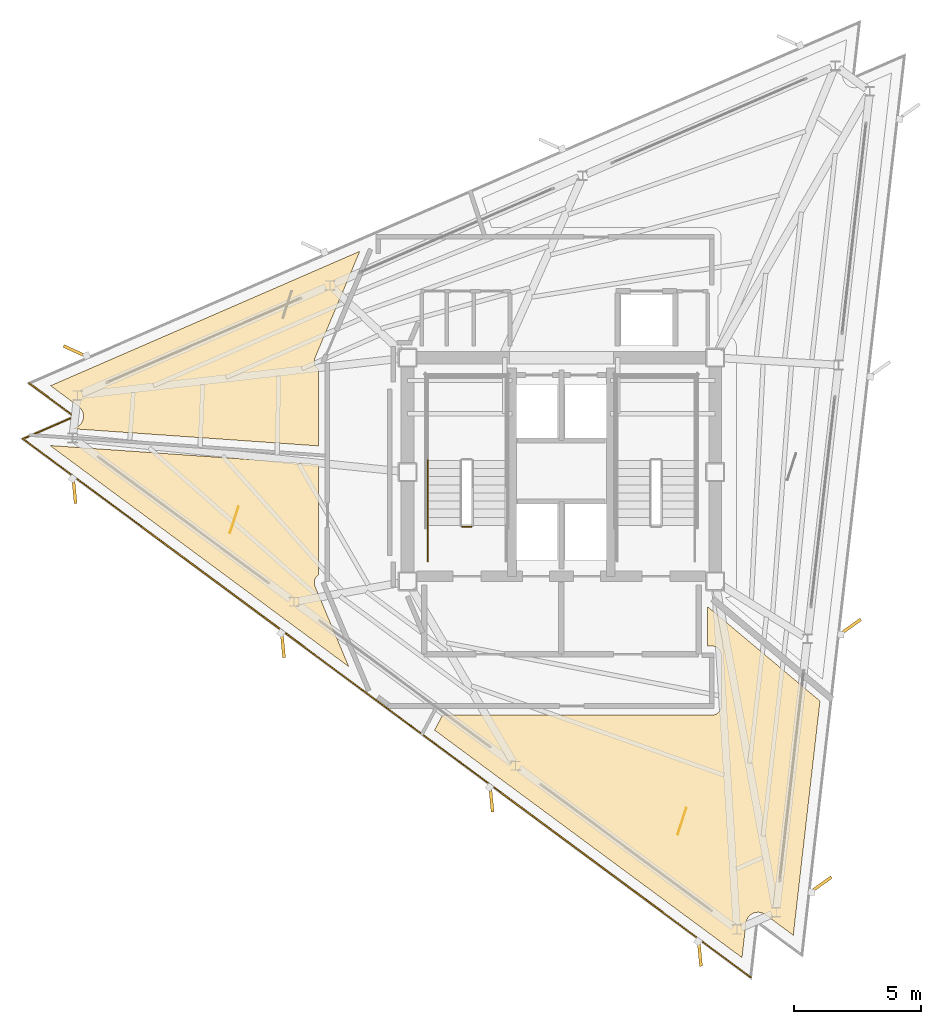
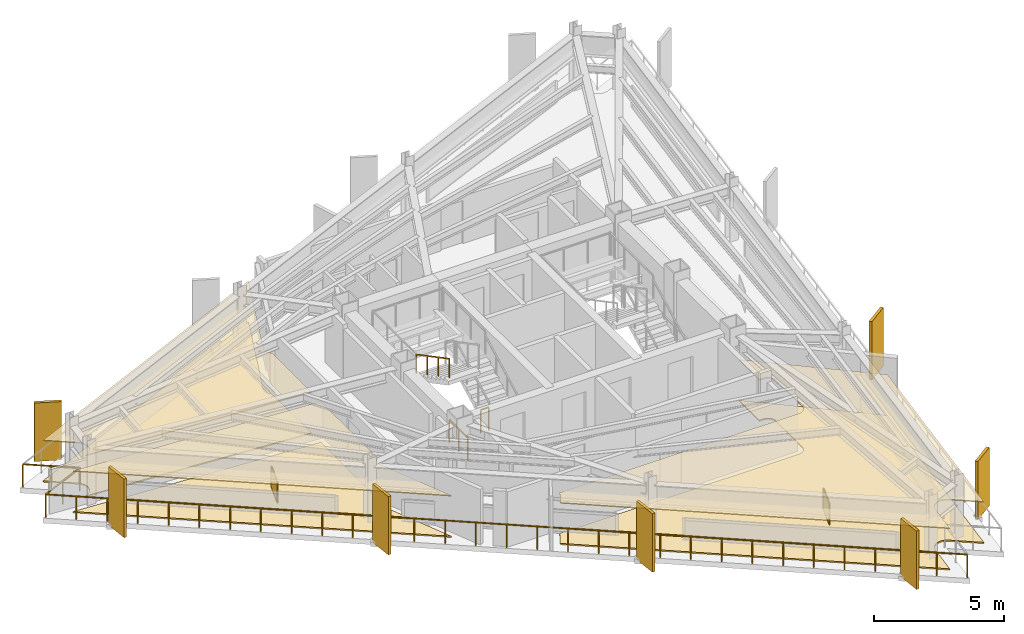
# One storey, part 7 of 9: 8 coverings, 7 shading devices, 4 railings.
"""IFC4 building model written with IfcOpenShell, lengths in metres."""

from ifc_helpers import new_model, si_unit, direction, frame, origin, origin_2d, place, context, subcontext, project, spatial, polyline, rectangle, outline, extrude, material, layer, layer_set, type_object, element, save


model = new_model("IFC4")

# Units and contexts
model_context = context("Model", 3, precision=1e-05, world=origin(), true_north=direction((0.0, 1.0)))
body_context = subcontext(model_context, "Body", "Model", "MODEL_VIEW")
ifc_project = project(units=[si_unit("LENGTHUNIT", "METRE"), si_unit("AREAUNIT", "SQUARE_METRE"), si_unit("VOLUMEUNIT", "CUBIC_METRE"), si_unit("PLANEANGLEUNIT", "RADIAN"), si_unit("MASSUNIT", "GRAM", prefix="KILO")], contexts=[model_context])

# Site, building, storey
site_placement = place(None, origin())
site = spatial("IfcSite", under=ifc_project, at=site_placement, CompositionType="ELEMENT")
building_placement = place(site_placement, origin())
building = spatial("IfcBuilding", under=site, at=building_placement, Name="Rocaltana Carrier Exchange", CompositionType="ELEMENT")
storey_placement = place(building_placement, frame((0.0, 0.0, 236.159912109375)))
storey = spatial("IfcBuildingStorey", under=building, at=storey_placement, Name="L75", CompositionType="ELEMENT", Elevation=236.159912109375)

# Coverings
ifc_material_1 = material(Name="Calcium Sulphate & Aluminium Pedestal", Category="aluminium")
ifc_layer_1 = layer(ifc_material_1, 0.06005859375)
ifc_layer_set_1 = layer_set([ifc_layer_1], Name="Calcium Sulphate & Aluminium Pedestal")
covering_type_1 = type_object("IfcCoveringType", Name="Anti-Static Raised Exchange Access Floor 60", PredefinedType="FLOORING", material=ifc_layer_set_1)
covering_1_placement = place(storey_placement, origin())
element("IfcCovering", 1, at=covering_1_placement, inside=storey, type_object=covering_type_1, Name="L75 Cloud Architecture Office Finish Floor", PredefinedType="FLOORING", context=body_context, shape_type="SweptSolid", body=[
    extrude(outline(polyline([(-20.11572265625, 1.0458984375), (-9.56005859375, 0.3076171875), (-9.56005859375, -4.052001953125), (-9.57177734375, -4.06005859375), (-9.578125, -4.064697265625), (-9.59912109375, -4.082275390625), (-9.60498046875, -4.087646484375), (-9.624267578125, -4.107177734375), (-9.629638671875, -4.113037109375), (-9.64697265625, -4.134521484375), (-9.651611328125, -4.140625), (-9.666748046875, -4.16357421875), (-9.670654296875, -4.17041015625), (-9.68359375, -4.194580078125), (-9.686767578125, -4.201904296875), (-9.697265625, -4.227294921875), (-9.69970703125, -4.234619140625), (-9.70751953125, -4.260986328125), (-9.70947265625, -4.2685546875), (-9.714599609375, -4.295654296875), (-9.7158203125, -4.30322265625), (-9.718505859375, -4.330810546875), (-9.71875, -4.33837890625), (-9.718505859375, -4.365966796875), (-9.71826171875, -4.373779296875), (-9.71533203125, -4.401123046875), (-9.714111328125, -4.408935546875), (-9.70849609375, -4.435791015625), (-9.706787109375, -4.443603515625), (-9.698486328125, -4.4697265625), (-9.69580078125, -4.47705078125), (-9.69091796875, -4.489990234375), (-8.361328125, -7.652099609375), (-20.11572265625, 1.0458984375)])), origin(), (0.0, 0.0, 1.0), 0.06005859375),
])
covering_2_placement = place(storey_placement, origin())
element("IfcCovering", 2, at=covering_2_placement, inside=storey, type_object=covering_type_1, Name="L75 Network Operations Office Finish Floor", PredefinedType="FLOORING", context=body_context, shape_type="SweptSolid", body=[
    extrude(outline(polyline([(5.739990234375, -6.840087890625), (5.739990234375, -5.286376953125), (10.1708984375, -9.00439453125), (9.12109375, -18.21826171875), (8.020751953125, -17.404052734375), (8.009521484375, -17.39599609375), (7.992919921875, -17.385009765625), (7.96875, -17.370849609375), (7.951171875, -17.361572265625), (7.92578125, -17.349609375), (7.907470703125, -17.342041015625), (7.881103515625, -17.332763671875), (7.862060546875, -17.3271484375), (7.8349609375, -17.320556640625), (7.815185546875, -17.31689453125), (7.78759765625, -17.31298828125), (7.767822265625, -17.311279296875), (7.739990234375, -17.310302734375), (7.719970703125, -17.310302734375), (7.692138671875, -17.31201171875), (7.67236328125, -17.314208984375), (7.644775390625, -17.31884765625), (7.625244140625, -17.322998046875), (7.59814453125, -17.330078125), (7.579345703125, -17.336181640625), (7.552978515625, -17.34619140625), (7.534912109375, -17.35400390625), (7.509765625, -17.366455078125), (7.492431640625, -17.376220703125), (7.46875, -17.39111328125), (7.452392578125, -17.40234375), (7.430419921875, -17.41943359375), (7.415283203125, -17.4326171875), (7.39501953125, -17.45166015625), (7.381103515625, -17.466064453125), (7.363037109375, -17.4873046875), (7.3505859375, -17.5029296875), (7.334716796875, -17.52587890625), (7.32421875, -17.542724609375), (7.310302734375, -17.56689453125), (7.301513671875, -17.5849609375), (7.290283203125, -17.6103515625), (7.283203125, -17.629150390625), (7.274658203125, -17.655517578125), (7.26953125, -17.6748046875), (7.263671875, -17.7021484375), (7.26025390625, -17.7216796875), (7.25830078125, -17.735595703125), (7.103515625, -19.095458984375), (-4.988037109375, -10.148193359375), (-4.67529296875, -9.56005859375), (5.919921875, -9.56005859375), (5.93359375, -9.559814453125), (5.941650390625, -9.559326171875), (5.968994140625, -9.556640625), (5.976806640625, -9.555419921875), (6.003662109375, -9.550048828125), (6.01123046875, -9.548095703125), (6.03759765625, -9.540283203125), (6.044921875, -9.53759765625), (6.0703125, -9.527099609375), (6.077392578125, -9.523681640625), (6.101806640625, -9.5107421875), (6.1083984375, -9.506591796875), (6.131103515625, -9.491455078125), (6.137451171875, -9.48681640625), (6.15869140625, -9.46923828125), (6.16455078125, -9.464111328125), (6.18408203125, -9.444580078125), (6.189208984375, -9.438720703125), (6.206787109375, -9.41748046875), (6.21142578125, -9.4111328125), (6.226806640625, -9.388427734375), (6.230712890625, -9.381591796875), (6.24365234375, -9.357421875), (6.2470703125, -9.350341796875), (6.257568359375, -9.324951171875), (6.26025390625, -9.317626953125), (6.268310546875, -9.291259765625), (6.27001953125, -9.28369140625), (6.275390625, -9.256591796875), (6.276611328125, -9.248779296875), (6.279296875, -9.2216796875), (6.27978515625, -9.213623046875), (6.280029296875, -9.199951171875), (6.280029296875, -7.199951171875), (6.27978515625, -7.186279296875), (6.279296875, -7.178466796875), (6.276611328125, -7.151123046875), (6.275390625, -7.143310546875), (6.27001953125, -7.116455078125), (6.268310546875, -7.108642578125), (6.26025390625, -7.08251953125), (6.257568359375, -7.0751953125), (6.2470703125, -7.0498046875), (6.24365234375, -7.04248046875), (6.230712890625, -7.018310546875), (6.226806640625, -7.01171875), (6.21142578125, -6.98876953125), (6.206787109375, -6.982421875), (6.189208984375, -6.961181640625), (6.18408203125, -6.955322265625), (6.16455078125, -6.93603515625), (6.15869140625, -6.9306640625), (6.137451171875, -6.913330078125), (6.131103515625, -6.90869140625), (6.1083984375, -6.893310546875), (6.101806640625, -6.889404296875), (6.077392578125, -6.876220703125), (6.0703125, -6.873046875), (6.044921875, -6.862548828125), (6.03759765625, -6.85986328125), (6.01123046875, -6.851806640625), (6.003662109375, -6.849853515625), (5.976806640625, -6.844482421875), (5.968994140625, -6.843505859375), (5.941650390625, -6.8408203125), (5.93359375, -6.84033203125), (5.919921875, -6.840087890625), (5.739990234375, -6.840087890625)])), origin(), (0.0, 0.0, 1.0), 0.06005859375),
])
covering_3_placement = place(storey_placement, origin())
element("IfcCovering", 3, at=covering_3_placement, inside=storey, type_object=covering_type_1, Name="L75 Optical Switching Laboratory Finish Floor", PredefinedType="FLOORING", context=body_context, shape_type="SweptSolid", body=[
    extrude(outline(polyline([(-19.0830078125, 1.755859375), (-19.0703125, 1.76171875), (-19.052490234375, 1.7705078125), (-19.028076171875, 1.7841796875), (-19.010986328125, 1.794921875), (-18.98828125, 1.810791015625), (-18.972412109375, 1.822998046875), (-18.951416015625, 1.841064453125), (-18.936767578125, 1.85498046875), (-18.91748046875, 1.875), (-18.904541015625, 1.89013671875), (-18.887451171875, 1.912109375), (-18.8759765625, 1.928466796875), (-18.861083984375, 1.9521484375), (-18.851318359375, 1.969482421875), (-18.8388671875, 1.994384765625), (-18.830810546875, 2.0126953125), (-18.82080078125, 2.038818359375), (-18.814697265625, 2.057861328125), (-18.8076171875, 2.084716796875), (-18.80322265625, 2.104248046875), (-18.798828125, 2.1318359375), (-18.79638671875, 2.151611328125), (-18.794677734375, 2.179443359375), (-18.79443359375, 2.199462890625), (-18.79541015625, 2.227294921875), (-18.797119140625, 2.2470703125), (-18.801025390625, 2.27490234375), (-18.8046875, 2.29443359375), (-18.811279296875, 2.321533203125), (-18.81689453125, 2.3408203125), (-18.825927734375, 2.366943359375), (-18.83349609375, 2.385498046875), (-18.84521484375, 2.410888671875), (-18.8544921875, 2.428466796875), (-18.86865234375, 2.452392578125), (-18.879638671875, 2.468994140625), (-18.896240234375, 2.49169921875), (-18.908935546875, 2.507080078125), (-18.927490234375, 2.52783203125), (-18.941650390625, 2.5419921875), (-18.96240234375, 2.560546875), (-18.977783203125, 2.5732421875), (-18.98876953125, 2.581787109375), (-20.089111328125, 3.39599609375), (-7.927490234375, 8.683837890625), (-9.69091796875, 4.489990234375), (-9.69580078125, 4.47705078125), (-9.698486328125, 4.4697265625), (-9.706787109375, 4.443603515625), (-9.70849609375, 4.435791015625), (-9.714111328125, 4.408935546875), (-9.71533203125, 4.401123046875), (-9.71826171875, 4.373779296875), (-9.718505859375, 4.365966796875), (-9.71875, 4.33837890625), (-9.718505859375, 4.330810546875), (-9.7158203125, 4.30322265625), (-9.714599609375, 4.295654296875), (-9.70947265625, 4.2685546875), (-9.70751953125, 4.260986328125), (-9.69970703125, 4.234619140625), (-9.697265625, 4.227294921875), (-9.686767578125, 4.201904296875), (-9.68359375, 4.194580078125), (-9.670654296875, 4.17041015625), (-9.666748046875, 4.16357421875), (-9.651611328125, 4.140625), (-9.64697265625, 4.134521484375), (-9.629638671875, 4.113037109375), (-9.624267578125, 4.107177734375), (-9.60498046875, 4.087646484375), (-9.59912109375, 4.082275390625), (-9.578125, 4.064697265625), (-9.57177734375, 4.06005859375), (-9.56005859375, 4.052001953125), (-9.56005859375, 1.029296875), (-19.202880859375, 1.70361328125), (-19.0830078125, 1.755859375)])), origin(), (0.0, 0.0, 1.0), 0.06005859375),
])
ifc_material_2 = material(Name="Mineral Fibre & Powder-Coated Aluminium", Category="aluminium")
ifc_layer_2 = layer(ifc_material_2, 0.044921875)
ifc_layer_set_2 = layer_set([ifc_layer_2], Name="Mineral Fibre & Powder-Coated Aluminium")
covering_type_2 = type_object("IfcCoveringType", Name="Micro-Perforated Acoustic Ceiling 45", PredefinedType="CEILING", material=ifc_layer_set_2)
covering_4_placement = place(storey_placement, frame((0.0, 0.0, 1.923095703125)))
element("IfcCovering", 4, at=covering_4_placement, inside=storey, type_object=covering_type_2, Name="L75 Cloud Architecture Office Acoustic Ceiling", PredefinedType="CEILING", context=body_context, shape_type="SweptSolid", body=[
    extrude(outline(polyline([(-20.11572265625, 1.0458984375), (-9.56005859375, 0.3076171875), (-9.56005859375, -4.052001953125), (-9.57177734375, -4.06005859375), (-9.578125, -4.064697265625), (-9.59912109375, -4.082275390625), (-9.60498046875, -4.087646484375), (-9.624267578125, -4.107177734375), (-9.629638671875, -4.113037109375), (-9.64697265625, -4.134521484375), (-9.651611328125, -4.140625), (-9.666748046875, -4.16357421875), (-9.670654296875, -4.17041015625), (-9.68359375, -4.194580078125), (-9.686767578125, -4.201904296875), (-9.697265625, -4.227294921875), (-9.69970703125, -4.234619140625), (-9.70751953125, -4.260986328125), (-9.70947265625, -4.2685546875), (-9.714599609375, -4.295654296875), (-9.7158203125, -4.30322265625), (-9.718505859375, -4.330810546875), (-9.71875, -4.33837890625), (-9.718505859375, -4.365966796875), (-9.71826171875, -4.373779296875), (-9.71533203125, -4.401123046875), (-9.714111328125, -4.408935546875), (-9.70849609375, -4.435791015625), (-9.706787109375, -4.443603515625), (-9.698486328125, -4.4697265625), (-9.69580078125, -4.47705078125), (-9.69091796875, -4.489990234375), (-8.361328125, -7.652099609375), (-20.11572265625, 1.0458984375)])), origin(), (0.0, 0.0, 1.0), 0.044921875),
])
covering_5_placement = place(storey_placement, frame((0.0, 0.0, 1.923095703125)))
element("IfcCovering", 5, at=covering_5_placement, inside=storey, type_object=covering_type_2, Name="L75 Network Operations Office Acoustic Ceiling", PredefinedType="CEILING", context=body_context, shape_type="SweptSolid", body=[
    extrude(outline(polyline([(5.739990234375, -6.840087890625), (5.739990234375, -5.286376953125), (10.1708984375, -9.00439453125), (9.12109375, -18.21826171875), (8.020751953125, -17.404052734375), (8.009521484375, -17.39599609375), (7.992919921875, -17.385009765625), (7.96875, -17.370849609375), (7.951171875, -17.361572265625), (7.92578125, -17.349609375), (7.907470703125, -17.342041015625), (7.881103515625, -17.332763671875), (7.862060546875, -17.3271484375), (7.8349609375, -17.320556640625), (7.815185546875, -17.31689453125), (7.78759765625, -17.31298828125), (7.767822265625, -17.311279296875), (7.739990234375, -17.310302734375), (7.719970703125, -17.310302734375), (7.692138671875, -17.31201171875), (7.67236328125, -17.314208984375), (7.644775390625, -17.31884765625), (7.625244140625, -17.322998046875), (7.59814453125, -17.330078125), (7.579345703125, -17.336181640625), (7.552978515625, -17.34619140625), (7.534912109375, -17.35400390625), (7.509765625, -17.366455078125), (7.492431640625, -17.376220703125), (7.46875, -17.39111328125), (7.452392578125, -17.40234375), (7.430419921875, -17.41943359375), (7.415283203125, -17.4326171875), (7.39501953125, -17.45166015625), (7.381103515625, -17.466064453125), (7.363037109375, -17.4873046875), (7.3505859375, -17.5029296875), (7.334716796875, -17.52587890625), (7.32421875, -17.542724609375), (7.310302734375, -17.56689453125), (7.301513671875, -17.5849609375), (7.290283203125, -17.6103515625), (7.283203125, -17.629150390625), (7.274658203125, -17.655517578125), (7.26953125, -17.6748046875), (7.263671875, -17.7021484375), (7.26025390625, -17.7216796875), (7.25830078125, -17.735595703125), (7.103515625, -19.095458984375), (-4.988037109375, -10.148193359375), (-4.67529296875, -9.56005859375), (5.919921875, -9.56005859375), (5.93359375, -9.559814453125), (5.941650390625, -9.559326171875), (5.968994140625, -9.556640625), (5.976806640625, -9.555419921875), (6.003662109375, -9.550048828125), (6.01123046875, -9.548095703125), (6.03759765625, -9.540283203125), (6.044921875, -9.53759765625), (6.0703125, -9.527099609375), (6.077392578125, -9.523681640625), (6.101806640625, -9.5107421875), (6.1083984375, -9.506591796875), (6.131103515625, -9.491455078125), (6.137451171875, -9.48681640625), (6.15869140625, -9.46923828125), (6.16455078125, -9.464111328125), (6.18408203125, -9.444580078125), (6.189208984375, -9.438720703125), (6.206787109375, -9.41748046875), (6.21142578125, -9.4111328125), (6.226806640625, -9.388427734375), (6.230712890625, -9.381591796875), (6.24365234375, -9.357421875), (6.2470703125, -9.350341796875), (6.257568359375, -9.324951171875), (6.26025390625, -9.317626953125), (6.268310546875, -9.291259765625), (6.27001953125, -9.28369140625), (6.275390625, -9.256591796875), (6.276611328125, -9.248779296875), (6.279296875, -9.2216796875), (6.27978515625, -9.213623046875), (6.280029296875, -9.199951171875), (6.280029296875, -7.199951171875), (6.27978515625, -7.186279296875), (6.279296875, -7.178466796875), (6.276611328125, -7.151123046875), (6.275390625, -7.143310546875), (6.27001953125, -7.116455078125), (6.268310546875, -7.108642578125), (6.26025390625, -7.08251953125), (6.257568359375, -7.0751953125), (6.2470703125, -7.0498046875), (6.24365234375, -7.04248046875), (6.230712890625, -7.018310546875), (6.226806640625, -7.01171875), (6.21142578125, -6.98876953125), (6.206787109375, -6.982421875), (6.189208984375, -6.961181640625), (6.18408203125, -6.955322265625), (6.16455078125, -6.93603515625), (6.15869140625, -6.9306640625), (6.137451171875, -6.913330078125), (6.131103515625, -6.90869140625), (6.1083984375, -6.893310546875), (6.101806640625, -6.889404296875), (6.077392578125, -6.876220703125), (6.0703125, -6.873046875), (6.044921875, -6.862548828125), (6.03759765625, -6.85986328125), (6.01123046875, -6.851806640625), (6.003662109375, -6.849853515625), (5.976806640625, -6.844482421875), (5.968994140625, -6.843505859375), (5.941650390625, -6.8408203125), (5.93359375, -6.84033203125), (5.919921875, -6.840087890625), (5.739990234375, -6.840087890625)])), origin(), (0.0, 0.0, 1.0), 0.044921875),
])
covering_6_placement = place(storey_placement, frame((0.0, 0.0, 1.923095703125)))
element("IfcCovering", 6, at=covering_6_placement, inside=storey, type_object=covering_type_2, Name="L75 Optical Switching Laboratory Acoustic Ceiling", PredefinedType="CEILING", context=body_context, shape_type="SweptSolid", body=[
    extrude(outline(polyline([(-19.0830078125, 1.755859375), (-19.0703125, 1.76171875), (-19.052490234375, 1.7705078125), (-19.028076171875, 1.7841796875), (-19.010986328125, 1.794921875), (-18.98828125, 1.810791015625), (-18.972412109375, 1.822998046875), (-18.951416015625, 1.841064453125), (-18.936767578125, 1.85498046875), (-18.91748046875, 1.875), (-18.904541015625, 1.89013671875), (-18.887451171875, 1.912109375), (-18.8759765625, 1.928466796875), (-18.861083984375, 1.9521484375), (-18.851318359375, 1.969482421875), (-18.8388671875, 1.994384765625), (-18.830810546875, 2.0126953125), (-18.82080078125, 2.038818359375), (-18.814697265625, 2.057861328125), (-18.8076171875, 2.084716796875), (-18.80322265625, 2.104248046875), (-18.798828125, 2.1318359375), (-18.79638671875, 2.151611328125), (-18.794677734375, 2.179443359375), (-18.79443359375, 2.199462890625), (-18.79541015625, 2.227294921875), (-18.797119140625, 2.2470703125), (-18.801025390625, 2.27490234375), (-18.8046875, 2.29443359375), (-18.811279296875, 2.321533203125), (-18.81689453125, 2.3408203125), (-18.825927734375, 2.366943359375), (-18.83349609375, 2.385498046875), (-18.84521484375, 2.410888671875), (-18.8544921875, 2.428466796875), (-18.86865234375, 2.452392578125), (-18.879638671875, 2.468994140625), (-18.896240234375, 2.49169921875), (-18.908935546875, 2.507080078125), (-18.927490234375, 2.52783203125), (-18.941650390625, 2.5419921875), (-18.96240234375, 2.560546875), (-18.977783203125, 2.5732421875), (-18.98876953125, 2.581787109375), (-20.089111328125, 3.39599609375), (-7.927490234375, 8.683837890625), (-9.69091796875, 4.489990234375), (-9.69580078125, 4.47705078125), (-9.698486328125, 4.4697265625), (-9.706787109375, 4.443603515625), (-9.70849609375, 4.435791015625), (-9.714111328125, 4.408935546875), (-9.71533203125, 4.401123046875), (-9.71826171875, 4.373779296875), (-9.718505859375, 4.365966796875), (-9.71875, 4.33837890625), (-9.718505859375, 4.330810546875), (-9.7158203125, 4.30322265625), (-9.714599609375, 4.295654296875), (-9.70947265625, 4.2685546875), (-9.70751953125, 4.260986328125), (-9.69970703125, 4.234619140625), (-9.697265625, 4.227294921875), (-9.686767578125, 4.201904296875), (-9.68359375, 4.194580078125), (-9.670654296875, 4.17041015625), (-9.666748046875, 4.16357421875), (-9.651611328125, 4.140625), (-9.64697265625, 4.134521484375), (-9.629638671875, 4.113037109375), (-9.624267578125, 4.107177734375), (-9.60498046875, 4.087646484375), (-9.59912109375, 4.082275390625), (-9.578125, 4.064697265625), (-9.57177734375, 4.06005859375), (-9.56005859375, 4.052001953125), (-9.56005859375, 1.029296875), (-19.202880859375, 1.70361328125), (-19.0830078125, 1.755859375)])), origin(), (0.0, 0.0, 1.0), 0.044921875),
])

# Railings
ifc_material_3 = material(Name="Brushed Architectural Stainless Tube", Category="steel")
ifc_layer_3 = layer(ifc_material_3, 0.048095703125)
ifc_layer_set_3 = layer_set([ifc_layer_3], Name="Brushed Architectural Stainless Tube")
railing_type_1 = type_object("IfcRailingType", Name="Stair Wall Handrail 920", PredefinedType="HANDRAIL", material=ifc_layer_set_3)
railing_1_placement = place(storey_placement, frame((-5.25, 0.4599609375, 1.68896484375)))
element("IfcRailing", 7, at=railing_1_placement, inside=storey, type_object=railing_type_1, Name="L75 ST-1 stair handrail 2", PredefinedType="HANDRAIL", context=body_context, shape_type="SweptSolid", body=[
    extrude(rectangle(XDim=0.048095703125, YDim=0.048095703125, at=origin_2d()), frame((0.0, 0.0, 0.8759765625), z_axis=(0.0, -0.884394423565, 0.466740295633), x_axis=(1.0, 0.0, 0.0)), (0.0, 0.0, 1.0), 2.894775390625),
    extrude(rectangle(XDim=0.0419921875, YDim=0.0419921875, at=origin_2d()), origin(), (0.0, 0.0, 1.0), 0.851806640625),
    extrude(rectangle(XDim=0.0419921875, YDim=0.0419921875, at=origin_2d()), frame((0.0, -0.853271484375, 0.450439453125)), (0.0, 0.0, 1.0), 0.851806640625),
    extrude(rectangle(XDim=0.0419921875, YDim=0.0419921875, at=origin_2d()), frame((0.0, -1.706787109375, 0.900634765625)), (0.0, 0.0, 1.0), 0.851806640625),
    extrude(rectangle(XDim=0.0419921875, YDim=0.0419921875, at=origin_2d()), frame((0.0, -2.56005859375, 1.35107421875)), (0.0, 0.0, 1.0), 0.851806640625),
])
ifc_material_4 = material(Name="Powder-Coated Aluminium 6063-T6", Category="aluminium")
ifc_layer_4 = layer(ifc_material_4, 0.048095703125)
ifc_layer_set_4 = layer_set([ifc_layer_4], Name="Powder-Coated Aluminium 6063-T6")
railing_type_2 = type_object("IfcRailingType", Name="Stair Well Guardrail 1100", PredefinedType="GUARDRAIL", material=ifc_layer_set_4)
railing_2_placement = place(storey_placement, frame((-3.5400390625, -2.14990234375, 0.0)))
element("IfcRailing", 8, at=railing_2_placement, inside=storey, type_object=railing_type_2, Name="L75 ST-1 stair guard 7", PredefinedType="GUARDRAIL", context=body_context, shape_type="SweptSolid", body=[
    extrude(rectangle(XDim=0.048095703125, YDim=0.048095703125, at=origin_2d()), frame((0.0, 0.0, 1.076171875), z_axis=(-1.0, 0.0, 0.0), x_axis=(0.0, -1.0, 0.0)), (0.0, 0.0, 1.0), 0.35986328125),
    extrude(rectangle(XDim=0.0419921875, YDim=0.0419921875, at=origin_2d()), origin(), (0.0, 0.0, 1.0), 1.052001953125),
    extrude(rectangle(XDim=0.0419921875, YDim=0.0419921875, at=origin_2d()), frame((-0.35986328125, 0.0, 0.0)), (0.0, 0.0, 1.0), 1.052001953125),
])
railing_3_placement = place(storey_placement, frame((-5.25, -3.5, 0.0)))
element("IfcRailing", 9, at=railing_3_placement, inside=storey, type_object=railing_type_2, Name="L75 ST-1 stair guard 9", PredefinedType="GUARDRAIL", context=body_context, shape_type="SweptSolid", body=[
    extrude(rectangle(XDim=0.048095703125, YDim=0.048095703125, at=origin_2d()), frame((0.0, 0.0, 1.076171875), z_axis=(0.0, 1.0, 0.0), x_axis=(-1.0, 0.0, 0.0)), (0.0, 0.0, 1.0), 1.39990234375),
    extrude(rectangle(XDim=0.0419921875, YDim=0.0419921875, at=origin_2d()), origin(), (0.0, 0.0, 1.0), 1.052001953125),
    extrude(rectangle(XDim=0.0419921875, YDim=0.0419921875, at=origin_2d()), frame((0.0, 0.699951171875, 0.0)), (0.0, 0.0, 1.0), 1.052001953125),
    extrude(rectangle(XDim=0.0419921875, YDim=0.0419921875, at=origin_2d()), frame((0.0, 1.39990234375, 0.0)), (0.0, 0.0, 1.0), 1.052001953125),
])

# Coverings
ifc_material_5 = material(Name="Honed Piedra Muneca Sandstone", Category="masonry")
ifc_layer_5 = layer(ifc_material_5, 0.034912109375)
ifc_layer_set_5 = layer_set([ifc_layer_5], Name="Honed Piedra Muneca Sandstone")
covering_type_3 = type_object("IfcCoveringType", Name="Stone Facade Cladding 35", PredefinedType="CLADDING", material=ifc_layer_set_5)
for number, where, z_axis, x_axis, name in (
    (10, (-12.8662109375, -1.872314453125, 0.0), (0.0, 0.0, 1.0), (0.309016994375, 0.951056516295, 0.0), "L75 Stone Facade Cladding Panel 1"),
    (11, (4.741943359375, -13.729248046875, 0.0), (0.0, 0.0, 1.0), (0.309016994375, 0.951056516295, 0.0), "L75 Stone Facade Cladding Panel 2"),
):
    element("IfcCovering", number, at=place(storey_placement, frame(where, z_axis=z_axis, x_axis=x_axis)), inside=storey, type_object=covering_type_3, Name=name, PredefinedType="CLADDING", context=body_context, shape_type="SweptSolid", body=[
        extrude(rectangle(XDim=1.10009765625, YDim=0.034912109375, at=origin_2d()), origin(), (0.0, 0.0, 1.0), 1.050048828125),
    ])

# Shading devices
ifc_material_6 = material(Name="Honed Bogota Sandstone & Concrete C45/55", Category="masonry")
ifc_layer_6 = layer(ifc_material_6, 0.1201171875)
ifc_layer_set_6 = layer_set([ifc_layer_6], Name="Honed Bogota Sandstone & Concrete C45/55")
shading_device_type = type_object("IfcShadingDeviceType", Name="Upper Sandstone Shading Fin 1050x120", PredefinedType="USERDEFINED", material=ifc_layer_set_6)
for number, where, z_axis, x_axis, name in (
    (12, (10.193115234375, -16.233642578125, -0.1201171875), (0.0, 0.0, 1.0), (0.814115518356, 0.580702955711, 0.0), "L75 Sandstone Vertical Fin F1-01"),
    (13, (11.34765625, -6.099365234375, -0.1201171875), (0.0, 0.0, 1.0), (0.814115518356, 0.580702955711, 0.0), "L75 Sandstone Vertical Fin F1-02"),
    (14, (-19.099609375, 4.742431640625, -0.1201171875), (0.0, 0.0, 1.0), (-0.909961270877, 0.414693242656, 0.0), "L75 Sandstone Vertical Fin F2-04"),
    (15, (-19.1552734375, -0.71044921875, -0.1201171875), (0.0, 0.0, 1.0), (0.09584575252, -0.995396198367, 0.0), "L75 Sandstone Vertical Fin F3-01"),
    (16, (-10.955810546875, -6.777587890625, -0.1201171875), (0.0, 0.0, 1.0), (0.09584575252, -0.995396198367, 0.0), "L75 Sandstone Vertical Fin F3-02"),
    (17, (-2.756591796875, -12.844970703125, -0.1201171875), (0.0, 0.0, 1.0), (0.09584575252, -0.995396198367, 0.0), "L75 Sandstone Vertical Fin F3-03"),
    (18, (5.442626953125, -18.912109375, -0.1201171875), (0.0, 0.0, 1.0), (0.09584575252, -0.995396198367, 0.0), "L75 Sandstone Vertical Fin F3-04"),
):
    element("IfcShadingDevice", number, at=place(storey_placement, frame(where, z_axis=z_axis, x_axis=x_axis)), inside=storey, type_object=shading_device_type, Name=name, ObjectType="FIN", PredefinedType="USERDEFINED", context=body_context, shape_type="SweptSolid", body=[
        extrude(rectangle(XDim=1.050048828125, YDim=0.1201171875, at=origin_2d()), origin(), (0.0, 0.0, 1.0), 2.738037109375),
    ])

# Railing
ifc_material_7 = material(Name="Powder-Coated Aluminium 6063-T6", Category="aluminium")
ifc_layer_7 = layer(ifc_material_7, 0.06005859375)
ifc_layer_set_7 = layer_set([ifc_layer_7], Name="Powder-Coated Aluminium 6063-T6")
railing_type_3 = type_object("IfcRailingType", Name="Wind-Floor & Terrace Perimeter Guardrail 1100", PredefinedType="GUARDRAIL", material=ifc_layer_set_7)
railing_4_placement = place(storey_placement, frame((7.4384765625, -19.865966796875, 0.0)))
element("IfcRailing", 19, at=railing_4_placement, inside=storey, type_object=railing_type_3, Name="L75 Perimeter Balcony Guardrail 1", PredefinedType="GUARDRAIL", context=body_context, shape_type="SweptSolid", body=[
    extrude(rectangle(XDim=0.048095703125, YDim=0.048095703125, at=origin_2d()), frame((0.0, 0.0, 1.076171875), z_axis=(-0.803856133623, 0.594823769226, 0.0), x_axis=(-0.594823769226, -0.803856133623, 0.0)), (0.0, 0.0, 1.0), 35.59228515625),
    extrude(rectangle(XDim=0.048095703125, YDim=0.048095703125, at=origin_2d()), frame((-28.611083984375, 21.171142578125, 1.076171875), z_axis=(0.917071820503, 0.398722053614, 0.0), x_axis=(-0.398722053614, 0.917071820503, 0.0)), (0.0, 0.0, 1.0), 2.199951171875),
    extrude(rectangle(XDim=0.048095703125, YDim=0.048095703125, at=origin_2d()), frame((-26.593505859375, 22.04833984375, 1.076171875), z_axis=(-0.803871612758, 0.59480284986, 0.0), x_axis=(-0.59480284986, -0.803871612758, 0.0)), (0.0, 0.0, 1.0), 2.199951171875),
    extrude(rectangle(XDim=0.0419921875, YDim=0.0419921875, at=origin_2d()), origin(), (0.0, 0.0, 1.0), 1.052001953125),
    extrude(rectangle(XDim=0.0419921875, YDim=0.0419921875, at=origin_2d()), frame((-0.95361328125, 0.705810546875, 0.0)), (0.0, 0.0, 1.0), 1.052001953125),
    extrude(rectangle(XDim=0.0419921875, YDim=0.0419921875, at=origin_2d()), frame((-1.907470703125, 1.411376953125, 0.0)), (0.0, 0.0, 1.0), 1.052001953125),
    extrude(rectangle(XDim=0.0419921875, YDim=0.0419921875, at=origin_2d()), frame((-2.861083984375, 2.1171875, 0.0)), (0.0, 0.0, 1.0), 1.052001953125),
    extrude(rectangle(XDim=0.0419921875, YDim=0.0419921875, at=origin_2d()), frame((-3.814697265625, 2.82275390625, 0.0)), (0.0, 0.0, 1.0), 1.052001953125),
    extrude(rectangle(XDim=0.0419921875, YDim=0.0419921875, at=origin_2d()), frame((-4.7685546875, 3.528564453125, 0.0)), (0.0, 0.0, 1.0), 1.052001953125),
    extrude(rectangle(XDim=0.0419921875, YDim=0.0419921875, at=origin_2d()), frame((-5.72216796875, 4.234130859375, 0.0)), (0.0, 0.0, 1.0), 1.052001953125),
    extrude(rectangle(XDim=0.0419921875, YDim=0.0419921875, at=origin_2d()), frame((-6.676025390625, 4.93994140625, 0.0)), (0.0, 0.0, 1.0), 1.052001953125),
    extrude(rectangle(XDim=0.0419921875, YDim=0.0419921875, at=origin_2d()), frame((-7.629638671875, 5.645751953125, 0.0)), (0.0, 0.0, 1.0), 1.052001953125),
    extrude(rectangle(XDim=0.0419921875, YDim=0.0419921875, at=origin_2d()), frame((-8.583251953125, 6.351318359375, 0.0)), (0.0, 0.0, 1.0), 1.052001953125),
    extrude(rectangle(XDim=0.0419921875, YDim=0.0419921875, at=origin_2d()), frame((-9.537109375, 7.05712890625, 0.0)), (0.0, 0.0, 1.0), 1.052001953125),
    extrude(rectangle(XDim=0.0419921875, YDim=0.0419921875, at=origin_2d()), frame((-10.49072265625, 7.7626953125, 0.0)), (0.0, 0.0, 1.0), 1.052001953125),
    extrude(rectangle(XDim=0.0419921875, YDim=0.0419921875, at=origin_2d()), frame((-11.4443359375, 8.468505859375, 0.0)), (0.0, 0.0, 1.0), 1.052001953125),
    extrude(rectangle(XDim=0.0419921875, YDim=0.0419921875, at=origin_2d()), frame((-12.398193359375, 9.174072265625, 0.0)), (0.0, 0.0, 1.0), 1.052001953125),
    extrude(rectangle(XDim=0.0419921875, YDim=0.0419921875, at=origin_2d()), frame((-13.351806640625, 9.8798828125, 0.0)), (0.0, 0.0, 1.0), 1.052001953125),
    extrude(rectangle(XDim=0.0419921875, YDim=0.0419921875, at=origin_2d()), frame((-14.3056640625, 10.58544921875, 0.0)), (0.0, 0.0, 1.0), 1.052001953125),
    extrude(rectangle(XDim=0.0419921875, YDim=0.0419921875, at=origin_2d()), frame((-15.25927734375, 11.291259765625, 0.0)), (0.0, 0.0, 1.0), 1.052001953125),
    extrude(rectangle(XDim=0.0419921875, YDim=0.0419921875, at=origin_2d()), frame((-16.212890625, 11.9970703125, 0.0)), (0.0, 0.0, 1.0), 1.052001953125),
    extrude(rectangle(XDim=0.0419921875, YDim=0.0419921875, at=origin_2d()), frame((-17.166748046875, 12.70263671875, 0.0)), (0.0, 0.0, 1.0), 1.052001953125),
    extrude(rectangle(XDim=0.0419921875, YDim=0.0419921875, at=origin_2d()), frame((-18.120361328125, 13.408447265625, 0.0)), (0.0, 0.0, 1.0), 1.052001953125),
    extrude(rectangle(XDim=0.0419921875, YDim=0.0419921875, at=origin_2d()), frame((-19.073974609375, 14.114013671875, 0.0)), (0.0, 0.0, 1.0), 1.052001953125),
    extrude(rectangle(XDim=0.0419921875, YDim=0.0419921875, at=origin_2d()), frame((-20.02783203125, 14.81982421875, 0.0)), (0.0, 0.0, 1.0), 1.052001953125),
    extrude(rectangle(XDim=0.0419921875, YDim=0.0419921875, at=origin_2d()), frame((-20.9814453125, 15.525390625, 0.0)), (0.0, 0.0, 1.0), 1.052001953125),
    extrude(rectangle(XDim=0.0419921875, YDim=0.0419921875, at=origin_2d()), frame((-21.93505859375, 16.231201171875, 0.0)), (0.0, 0.0, 1.0), 1.052001953125),
    extrude(rectangle(XDim=0.0419921875, YDim=0.0419921875, at=origin_2d()), frame((-22.888916015625, 16.93701171875, 0.0)), (0.0, 0.0, 1.0), 1.052001953125),
    extrude(rectangle(XDim=0.0419921875, YDim=0.0419921875, at=origin_2d()), frame((-23.842529296875, 17.642578125, 0.0)), (0.0, 0.0, 1.0), 1.052001953125),
    extrude(rectangle(XDim=0.0419921875, YDim=0.0419921875, at=origin_2d()), frame((-24.79638671875, 18.348388671875, 0.0)), (0.0, 0.0, 1.0), 1.052001953125),
    extrude(rectangle(XDim=0.0419921875, YDim=0.0419921875, at=origin_2d()), frame((-25.75, 19.053955078125, 0.0)), (0.0, 0.0, 1.0), 1.052001953125),
    extrude(rectangle(XDim=0.0419921875, YDim=0.0419921875, at=origin_2d()), frame((-26.70361328125, 19.759765625, 0.0)), (0.0, 0.0, 1.0), 1.052001953125),
    extrude(rectangle(XDim=0.0419921875, YDim=0.0419921875, at=origin_2d()), frame((-27.657470703125, 20.46533203125, 0.0)), (0.0, 0.0, 1.0), 1.052001953125),
    extrude(rectangle(XDim=0.0419921875, YDim=0.0419921875, at=origin_2d()), frame((-28.611083984375, 21.171142578125, 0.0)), (0.0, 0.0, 1.0), 1.052001953125),
    extrude(rectangle(XDim=0.0419921875, YDim=0.0419921875, at=origin_2d()), frame((-27.602294921875, 21.60986328125, 0.0)), (0.0, 0.0, 1.0), 1.052001953125),
    extrude(rectangle(XDim=0.0419921875, YDim=0.0419921875, at=origin_2d()), frame((-26.593505859375, 22.04833984375, 0.0)), (0.0, 0.0, 1.0), 1.052001953125),
    extrude(rectangle(XDim=0.0419921875, YDim=0.0419921875, at=origin_2d()), frame((-27.477783203125, 22.70263671875, 0.0)), (0.0, 0.0, 1.0), 1.052001953125),
    extrude(rectangle(XDim=0.0419921875, YDim=0.0419921875, at=origin_2d()), frame((-28.362060546875, 23.35693359375, 0.0)), (0.0, 0.0, 1.0), 1.052001953125),
])

save(model, "model.ifc")
